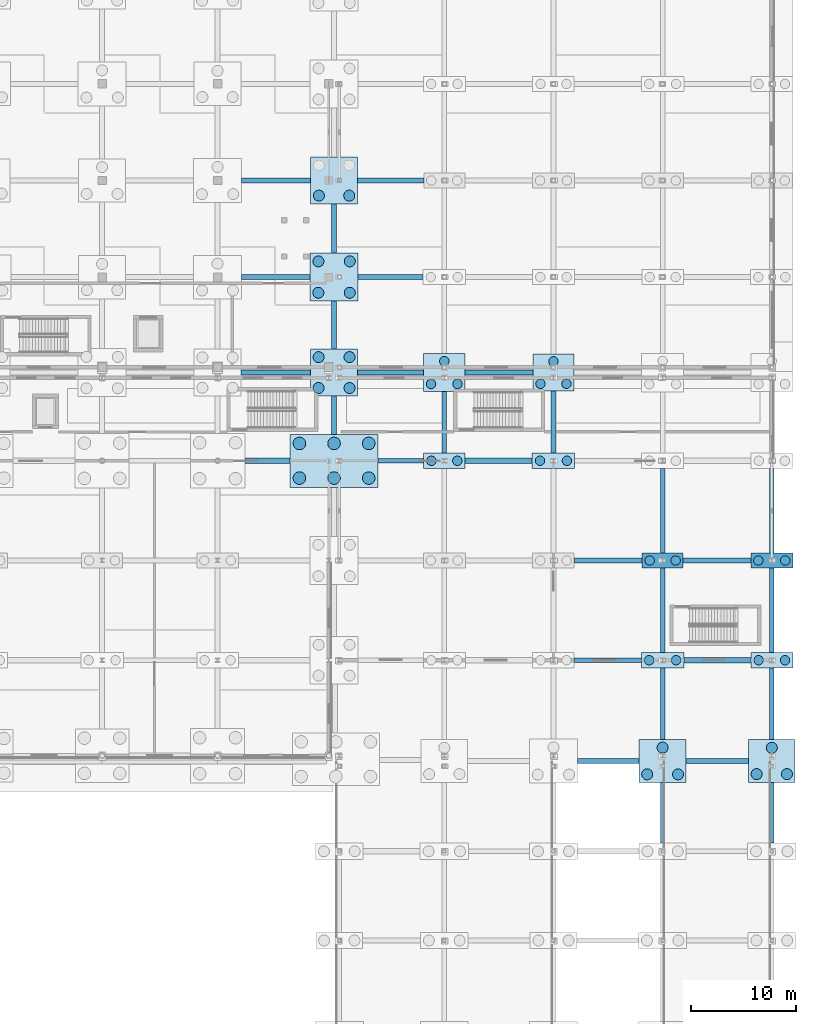
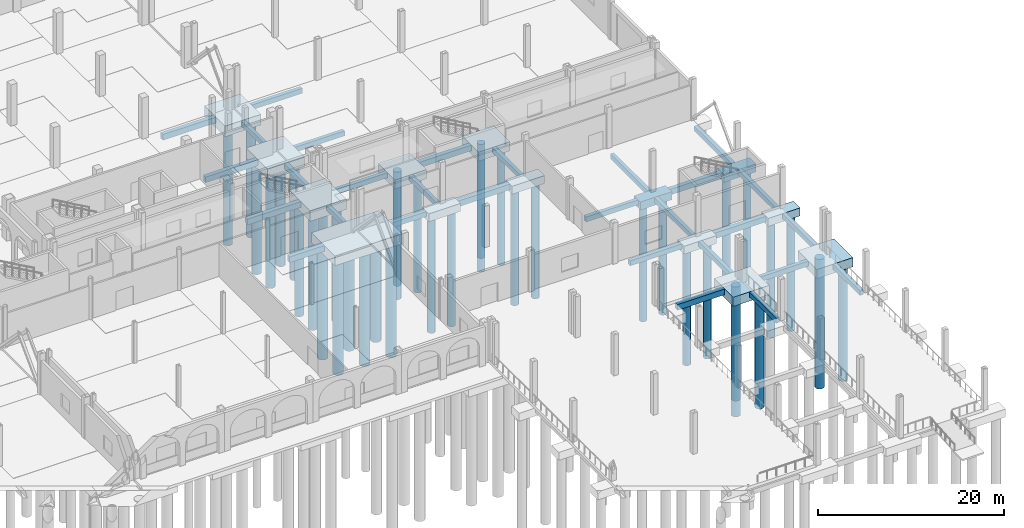
# One storey, part 12 of 83: 43 footings, 40 piles.
"""IFC4 building model written with IfcOpenShell, lengths in metres."""

from ifc_helpers import new_model, si_unit, direction, frame, origin, origin_2d, place, context, subcontext, project, spatial, polyline, circle, outline, extrude, material, material_profile, profile_set, type_object, element, save


model = new_model("IFC4")

# Units and contexts
model_context = context("Model", 3, precision=1e-05, world=origin(), true_north=direction((0.0, 1.0)))
body_context = subcontext(model_context, "Body", "Model", "MODEL_VIEW")
ifc_project = project(units=[si_unit("LENGTHUNIT", "METRE"), si_unit("AREAUNIT", "SQUARE_METRE"), si_unit("VOLUMEUNIT", "CUBIC_METRE"), si_unit("PLANEANGLEUNIT", "RADIAN"), si_unit("MASSUNIT", "GRAM", prefix="KILO")], contexts=[model_context])

# Site, building, storey
site_placement = place(None, origin())
site = spatial("IfcSite", under=ifc_project, at=site_placement, CompositionType="ELEMENT")
building_placement = place(site_placement, origin())
building = spatial("IfcBuilding", under=site, at=building_placement, Name="Caurita Quay Ferry Terminal", CompositionType="ELEMENT")
storey_placement = place(building_placement, origin())
storey = spatial("IfcBuildingStorey", under=building, at=storey_placement, Name="L00", CompositionType="ELEMENT", Elevation=0.0)

# Footings
ifc_material = material(Name="Marine reinforced concrete C40/50", Category="concrete")
footing_type_1 = type_object("IfcFootingType", Name="FTG-BM-01", PredefinedType="FOOTING_BEAM", material=ifc_material)
footing_1_placement = place(storey_placement, frame((0.0, 0.0, -1.14990234375)))
element("IfcFooting", 1, at=footing_1_placement, inside=storey, type_object=footing_type_1, Name="Seismic Tie Footing Beam FB-X-029", PredefinedType="FOOTING_BEAM", context=body_context, shape_type="SweptSolid", body=[
    extrude(outline(polyline([(155.47509765625, 33.85009765625), (161.35009765625, 33.85009765625), (161.35009765625, 34.35009765625), (155.47509765625, 34.35009765625), (155.47509765625, 33.85009765625)])), origin(), (0.0, 0.0, 1.0), 0.75),
])
footing_2_placement = place(storey_placement, frame((0.0, 0.0, -1.14990234375)))
element("IfcFooting", 2, at=footing_2_placement, inside=storey, type_object=footing_type_1, Name="Seismic Tie Footing Beam FB-X-057", PredefinedType="FOOTING_BEAM", context=body_context, shape_type="SweptSolid", body=[
    extrude(outline(polyline([(165.625, 43.449951171875), (172.0, 43.449951171875), (172.0, 43.949951171875), (165.625, 43.949951171875), (165.625, 43.449951171875)])), origin(), (0.0, 0.0, 1.0), 0.75),
])
footing_3_placement = place(storey_placement, frame((0.0, 0.0, -1.14990234375)))
element("IfcFooting", 3, at=footing_3_placement, inside=storey, type_object=footing_type_1, Name="Seismic Tie Footing Beam FB-X-073", PredefinedType="FOOTING_BEAM", context=body_context, shape_type="SweptSolid", body=[
    extrude(outline(polyline([(165.550048828125, 52.949951171875), (172.0, 52.949951171875), (172.0, 53.449951171875), (165.550048828125, 53.449951171875), (165.550048828125, 52.949951171875)])), origin(), (0.0, 0.0, 1.0), 0.75),
])
footing_4_placement = place(storey_placement, frame((0.0, 0.0, -1.14990234375)))
element("IfcFooting", 4, at=footing_4_placement, inside=storey, type_object=footing_type_1, Name="Seismic Tie Footing Beam FB-X-085", PredefinedType="FOOTING_BEAM", context=body_context, shape_type="SweptSolid", body=[
    extrude(outline(polyline([(123.800048828125, 62.449951171875), (128.125, 62.449951171875), (128.125, 62.949951171875), (123.800048828125, 62.949951171875), (123.800048828125, 62.449951171875)])), origin(), (0.0, 0.0, 1.0), 0.75),
])
footing_5_placement = place(storey_placement, frame((0.0, 0.0, -1.14990234375)))
element("IfcFooting", 5, at=footing_5_placement, inside=storey, type_object=footing_type_1, Name="Seismic Tie Footing Beam FB-X-087", PredefinedType="FOOTING_BEAM", context=body_context, shape_type="SweptSolid", body=[
    extrude(outline(polyline([(144.77490234375, 62.449951171875), (151.175048828125, 62.449951171875), (151.175048828125, 62.949951171875), (144.77490234375, 62.949951171875), (144.77490234375, 62.449951171875)])), origin(), (0.0, 0.0, 1.0), 0.75),
])
footing_6_placement = place(storey_placement, frame((0.0, 0.0, -1.14990234375)))
element("IfcFooting", 6, at=footing_6_placement, inside=storey, type_object=footing_type_1, Name="Seismic Tie Footing Beam FB-X-101", PredefinedType="FOOTING_BEAM", context=body_context, shape_type="SweptSolid", body=[
    extrude(outline(polyline([(123.425048828125, 70.85009765625), (130.050048828125, 70.85009765625), (130.050048828125, 71.35009765625), (123.425048828125, 71.35009765625), (123.425048828125, 70.85009765625)])), origin(), (0.0, 0.0, 1.0), 0.75),
])
footing_7_placement = place(storey_placement, frame((0.0, 0.0, -1.14990234375)))
element("IfcFooting", 7, at=footing_7_placement, inside=storey, type_object=footing_type_1, Name="Seismic Tie Footing Beam FB-X-103", PredefinedType="FOOTING_BEAM", context=body_context, shape_type="SweptSolid", body=[
    extrude(outline(polyline([(144.77490234375, 70.85009765625), (151.25, 70.85009765625), (151.25, 71.35009765625), (144.77490234375, 71.35009765625), (144.77490234375, 70.85009765625)])), origin(), (0.0, 0.0, 1.0), 0.75),
])
footing_8_placement = place(storey_placement, frame((0.0, 0.0, -1.14990234375)))
element("IfcFooting", 8, at=footing_8_placement, inside=storey, type_object=footing_type_1, Name="Seismic Tie Footing Beam FB-X-119", PredefinedType="FOOTING_BEAM", context=body_context, shape_type="SweptSolid", body=[
    extrude(outline(polyline([(123.47509765625, 79.949951171875), (130.0, 79.949951171875), (130.0, 80.449951171875), (123.47509765625, 80.449951171875), (123.47509765625, 79.949951171875)])), origin(), (0.0, 0.0, 1.0), 0.75),
])
footing_9_placement = place(storey_placement, frame((0.0, 0.0, -1.14990234375)))
element("IfcFooting", 9, at=footing_9_placement, inside=storey, type_object=footing_type_1, Name="Seismic Tie Footing Beam FB-X-133", PredefinedType="FOOTING_BEAM", context=body_context, shape_type="SweptSolid", body=[
    extrude(outline(polyline([(123.47509765625, 89.14990234375), (130.074951171875, 89.14990234375), (130.074951171875, 89.64990234375), (123.47509765625, 89.64990234375), (123.47509765625, 89.14990234375)])), origin(), (0.0, 0.0, 1.0), 0.75),
])
footing_type_2 = type_object("IfcFootingType", Name="FTG-BM-02", PredefinedType="FOOTING_BEAM", material=ifc_material)
footing_10_placement = place(storey_placement, frame((0.0, 0.0, -1.050048828125)))
element("IfcFooting", 10, at=footing_10_placement, inside=storey, type_object=footing_type_2, Name="Seismic Tie Footing Beam FB-X-030", PredefinedType="FOOTING_BEAM", context=body_context, shape_type="SweptSolid", body=[
    extrude(outline(polyline([(165.85009765625, 33.875), (171.77490234375, 33.875), (171.77490234375, 34.324951171875), (165.85009765625, 34.324951171875), (165.85009765625, 33.875)])), origin(), (0.0, 0.0, 1.0), 0.650146484375),
])
footing_11_placement = place(storey_placement, frame((0.0, 0.0, -1.050048828125)))
element("IfcFooting", 11, at=footing_11_placement, inside=storey, type_object=footing_type_2, Name="Seismic Tie Footing Beam FB-X-056", PredefinedType="FOOTING_BEAM", context=body_context, shape_type="SweptSolid", body=[
    extrude(outline(polyline([(155.175048828125, 43.47509765625), (161.574951171875, 43.47509765625), (161.574951171875, 43.925048828125), (155.175048828125, 43.925048828125), (155.175048828125, 43.47509765625)])), origin(), (0.0, 0.0, 1.0), 0.650146484375),
])
footing_12_placement = place(storey_placement, frame((0.0, 0.0, -1.050048828125)))
element("IfcFooting", 12, at=footing_12_placement, inside=storey, type_object=footing_type_2, Name="Seismic Tie Footing Beam FB-X-072", PredefinedType="FOOTING_BEAM", context=body_context, shape_type="SweptSolid", body=[
    extrude(outline(polyline([(155.175048828125, 52.97509765625), (161.64990234375, 52.97509765625), (161.64990234375, 53.425048828125), (155.175048828125, 53.425048828125), (155.175048828125, 52.97509765625)])), origin(), (0.0, 0.0, 1.0), 0.650146484375),
])
footing_13_placement = place(storey_placement, frame((0.0, 0.0, -1.050048828125)))
element("IfcFooting", 13, at=footing_13_placement, inside=storey, type_object=footing_type_2, Name="Seismic Tie Footing Beam FB-X-086", PredefinedType="FOOTING_BEAM", context=body_context, shape_type="SweptSolid", body=[
    extrude(outline(polyline([(136.47509765625, 62.47509765625), (140.824951171875, 62.47509765625), (140.824951171875, 62.925048828125), (136.47509765625, 62.925048828125), (136.47509765625, 62.47509765625)])), origin(), (0.0, 0.0, 1.0), 0.650146484375),
])
footing_14_placement = place(storey_placement, frame((0.0, 0.0, -1.050048828125)))
element("IfcFooting", 14, at=footing_14_placement, inside=storey, type_object=footing_type_2, Name="Seismic Tie Footing Beam FB-X-102", PredefinedType="FOOTING_BEAM", context=body_context, shape_type="SweptSolid", body=[
    extrude(outline(polyline([(134.550048828125, 70.875), (140.824951171875, 70.875), (140.824951171875, 71.324951171875), (134.550048828125, 71.324951171875), (134.550048828125, 70.875)])), origin(), (0.0, 0.0, 1.0), 0.650146484375),
])
footing_15_placement = place(storey_placement, frame((0.0, 0.0, -1.050048828125)))
element("IfcFooting", 15, at=footing_15_placement, inside=storey, type_object=footing_type_2, Name="Seismic Tie Footing Beam FB-X-120", PredefinedType="FOOTING_BEAM", context=body_context, shape_type="SweptSolid", body=[
    extrude(outline(polyline([(134.60009765625, 79.97509765625), (140.77490234375, 79.97509765625), (140.77490234375, 80.425048828125), (134.60009765625, 80.425048828125), (134.60009765625, 79.97509765625)])), origin(), (0.0, 0.0, 1.0), 0.650146484375),
])
footing_16_placement = place(storey_placement, frame((0.0, 0.0, -1.050048828125)))
element("IfcFooting", 16, at=footing_16_placement, inside=storey, type_object=footing_type_2, Name="Seismic Tie Footing Beam FB-X-134", PredefinedType="FOOTING_BEAM", context=body_context, shape_type="SweptSolid", body=[
    extrude(outline(polyline([(134.52490234375, 89.175048828125), (140.85009765625, 89.175048828125), (140.85009765625, 89.625), (134.52490234375, 89.625), (134.52490234375, 89.175048828125)])), origin(), (0.0, 0.0, 1.0), 0.650146484375),
])
footing_17_placement = place(storey_placement, frame((0.0, 0.0, -1.050048828125)))
element("IfcFooting", 17, at=footing_17_placement, inside=storey, type_object=footing_type_2, Name="Seismic Tie Footing Beam FB-Y-308", PredefinedType="FOOTING_BEAM", context=body_context, shape_type="SweptSolid", body=[
    extrude(outline(polyline([(132.074951171875, 65.22509765625), (132.52490234375, 65.22509765625), (132.52490234375, 68.85009765625), (132.074951171875, 68.85009765625), (132.074951171875, 65.22509765625)])), origin(), (0.0, 0.0, 1.0), 0.650146484375),
])
footing_18_placement = place(storey_placement, frame((0.0, 0.0, -1.050048828125)))
element("IfcFooting", 18, at=footing_18_placement, inside=storey, type_object=footing_type_2, Name="Seismic Tie Footing Beam FB-Y-309", PredefinedType="FOOTING_BEAM", context=body_context, shape_type="SweptSolid", body=[
    extrude(outline(polyline([(132.074951171875, 73.35009765625), (132.52490234375, 73.35009765625), (132.52490234375, 77.89990234375), (132.074951171875, 77.89990234375), (132.074951171875, 73.35009765625)])), origin(), (0.0, 0.0, 1.0), 0.650146484375),
])
footing_19_placement = place(storey_placement, frame((0.0, 0.0, -1.050048828125)))
element("IfcFooting", 19, at=footing_19_placement, inside=storey, type_object=footing_type_2, Name="Seismic Tie Footing Beam FB-Y-310", PredefinedType="FOOTING_BEAM", context=body_context, shape_type="SweptSolid", body=[
    extrude(outline(polyline([(132.074951171875, 82.5), (132.52490234375, 82.5), (132.52490234375, 87.175048828125), (132.074951171875, 87.175048828125), (132.074951171875, 82.5)])), origin(), (0.0, 0.0, 1.0), 0.650146484375),
])
footing_20_placement = place(storey_placement, frame((0.0, 0.0, -1.050048828125)))
element("IfcFooting", 20, at=footing_20_placement, inside=storey, type_object=footing_type_2, Name="Seismic Tie Footing Beam FB-Y-324", PredefinedType="FOOTING_BEAM", context=body_context, shape_type="SweptSolid", body=[
    extrude(outline(polyline([(142.574951171875, 63.425048828125), (143.02490234375, 63.425048828125), (143.02490234375, 69.300048828125), (142.574951171875, 69.300048828125), (142.574951171875, 63.425048828125)])), origin(), (0.0, 0.0, 1.0), 0.650146484375),
])
footing_21_placement = place(storey_placement, frame((0.0, 0.0, -1.050048828125)))
element("IfcFooting", 21, at=footing_21_placement, inside=storey, type_object=footing_type_2, Name="Seismic Tie Footing Beam FB-Y-337", PredefinedType="FOOTING_BEAM", context=body_context, shape_type="SweptSolid", body=[
    extrude(outline(polyline([(152.97509765625, 63.425048828125), (153.425048828125, 63.425048828125), (153.425048828125, 69.324951171875), (152.97509765625, 69.324951171875), (152.97509765625, 63.425048828125)])), origin(), (0.0, 0.0, 1.0), 0.650146484375),
])
footing_22_placement = place(storey_placement, frame((0.0, 0.0, -1.050048828125)))
element("IfcFooting", 22, at=footing_22_placement, inside=storey, type_object=footing_type_2, Name="Seismic Tie Footing Beam FB-Y-346", PredefinedType="FOOTING_BEAM", context=body_context, shape_type="SweptSolid", body=[
    extrude(outline(polyline([(163.375, 26.300048828125), (163.824951171875, 26.300048828125), (163.824951171875, 32.050048828125), (163.375, 32.050048828125), (163.375, 26.300048828125)])), origin(), (0.0, 0.0, 1.0), 0.650146484375),
])
footing_23_placement = place(storey_placement, frame((0.0, 0.0, -1.050048828125)))
element("IfcFooting", 23, at=footing_23_placement, inside=storey, type_object=footing_type_2, Name="Seismic Tie Footing Beam FB-Y-347", PredefinedType="FOOTING_BEAM", context=body_context, shape_type="SweptSolid", body=[
    extrude(outline(polyline([(163.375, 36.14990234375), (163.824951171875, 36.14990234375), (163.824951171875, 42.97509765625), (163.375, 42.97509765625), (163.375, 36.14990234375)])), origin(), (0.0, 0.0, 1.0), 0.650146484375),
])
footing_24_placement = place(storey_placement, frame((0.0, 0.0, -1.050048828125)))
element("IfcFooting", 24, at=footing_24_placement, inside=storey, type_object=footing_type_2, Name="Seismic Tie Footing Beam FB-Y-348", PredefinedType="FOOTING_BEAM", context=body_context, shape_type="SweptSolid", body=[
    extrude(outline(polyline([(163.375, 44.425048828125), (163.824951171875, 44.425048828125), (163.824951171875, 52.5), (163.375, 52.5), (163.375, 44.425048828125)])), origin(), (0.0, 0.0, 1.0), 0.650146484375),
])
footing_25_placement = place(storey_placement, frame((0.0, 0.0, -1.050048828125)))
element("IfcFooting", 25, at=footing_25_placement, inside=storey, type_object=footing_type_2, Name="Seismic Tie Footing Beam FB-Y-349", PredefinedType="FOOTING_BEAM", context=body_context, shape_type="SweptSolid", body=[
    extrude(outline(polyline([(163.375, 53.89990234375), (163.824951171875, 53.89990234375), (163.824951171875, 61.97509765625), (163.375, 61.97509765625), (163.375, 53.89990234375)])), origin(), (0.0, 0.0, 1.0), 0.650146484375),
])
footing_26_placement = place(storey_placement, frame((0.0, 0.0, -1.050048828125)))
element("IfcFooting", 26, at=footing_26_placement, inside=storey, type_object=footing_type_2, Name="Seismic Tie Footing Beam FB-Y-359", PredefinedType="FOOTING_BEAM", context=body_context, shape_type="SweptSolid", body=[
    extrude(outline(polyline([(173.77490234375, 26.300048828125), (174.22509765625, 26.300048828125), (174.22509765625, 32.050048828125), (173.77490234375, 32.050048828125), (173.77490234375, 26.300048828125)])), origin(), (0.0, 0.0, 1.0), 0.650146484375),
])
footing_27_placement = place(storey_placement, frame((0.0, 0.0, -1.050048828125)))
element("IfcFooting", 27, at=footing_27_placement, inside=storey, type_object=footing_type_2, Name="Seismic Tie Footing Beam FB-Y-360", PredefinedType="FOOTING_BEAM", context=body_context, shape_type="SweptSolid", body=[
    extrude(outline(polyline([(173.77490234375, 36.14990234375), (174.22509765625, 36.14990234375), (174.22509765625, 42.97509765625), (173.77490234375, 42.97509765625), (173.77490234375, 36.14990234375)])), origin(), (0.0, 0.0, 1.0), 0.650146484375),
])
footing_28_placement = place(storey_placement, frame((0.0, 0.0, -1.050048828125)))
element("IfcFooting", 28, at=footing_28_placement, inside=storey, type_object=footing_type_2, Name="Seismic Tie Footing Beam FB-Y-361", PredefinedType="FOOTING_BEAM", context=body_context, shape_type="SweptSolid", body=[
    extrude(outline(polyline([(173.77490234375, 44.425048828125), (174.22509765625, 44.425048828125), (174.22509765625, 52.5), (173.77490234375, 52.5), (173.77490234375, 44.425048828125)])), origin(), (0.0, 0.0, 1.0), 0.650146484375),
])
footing_29_placement = place(storey_placement, frame((0.0, 0.0, -1.050048828125)))
element("IfcFooting", 29, at=footing_29_placement, inside=storey, type_object=footing_type_2, Name="Seismic Tie Footing Beam FB-Y-362", PredefinedType="FOOTING_BEAM", context=body_context, shape_type="SweptSolid", body=[
    extrude(outline(polyline([(173.77490234375, 53.89990234375), (174.22509765625, 53.89990234375), (174.22509765625, 61.97509765625), (173.77490234375, 61.97509765625), (173.77490234375, 53.89990234375)])), origin(), (0.0, 0.0, 1.0), 0.650146484375),
])
footing_type_3 = type_object("IfcFootingType", Name="FTG-PC-06", PredefinedType="PILE_CAP", material=ifc_material)
footing_30_placement = place(storey_placement, frame((0.0, 0.0, -1.699951171875)))
element("IfcFooting", 30, at=footing_30_placement, inside=storey, type_object=footing_type_3, Name="Pile Cap PC-120", PredefinedType="PILE_CAP", context=body_context, shape_type="SweptSolid", body=[
    extrude(outline(polyline([(130.0, 77.89990234375), (134.60009765625, 77.89990234375), (134.60009765625, 82.5), (130.0, 82.5), (130.0, 77.89990234375)])), origin(), (0.0, 0.0, 1.0), 1.300048828125),
])
footing_type_4 = type_object("IfcFootingType", Name="FTG-PC-07", PredefinedType="PILE_CAP", material=ifc_material)
footing_31_placement = place(storey_placement, frame((0.0, 0.0, -1.800048828125)))
element("IfcFooting", 31, at=footing_31_placement, inside=storey, type_object=footing_type_4, Name="Pile Cap PC-121", PredefinedType="PILE_CAP", context=body_context, shape_type="SweptSolid", body=[
    extrude(outline(polyline([(130.074951171875, 87.175048828125), (134.52490234375, 87.175048828125), (134.52490234375, 91.625), (130.074951171875, 91.625), (130.074951171875, 87.175048828125)])), origin(), (0.0, 0.0, 1.0), 1.400146484375),
])
footing_type_5 = type_object("IfcFootingType", Name="FTG-PC-12", PredefinedType="PILE_CAP", material=ifc_material)
footing_32_placement = place(storey_placement, frame((0.0, 0.0, -1.449951171875)))
element("IfcFooting", 32, at=footing_32_placement, inside=storey, type_object=footing_type_5, Name="Pile Cap PC-150", PredefinedType="PILE_CAP", context=body_context, shape_type="SweptSolid", body=[
    extrude(outline(polyline([(151.175048828125, 61.97509765625), (155.22509765625, 61.97509765625), (155.22509765625, 63.425048828125), (151.175048828125, 63.425048828125), (151.175048828125, 61.97509765625)])), origin(), (0.0, 0.0, 1.0), 1.050048828125),
])
footing_33_placement = place(storey_placement, frame((0.0, 0.0, -1.449951171875)))
element("IfcFooting", 33, at=footing_33_placement, inside=storey, type_object=footing_type_5, Name="Pile Cap PC-162", PredefinedType="PILE_CAP", context=body_context, shape_type="SweptSolid", body=[
    extrude(outline(polyline([(161.574951171875, 42.97509765625), (165.625, 42.97509765625), (165.625, 44.425048828125), (161.574951171875, 44.425048828125), (161.574951171875, 42.97509765625)])), origin(), (0.0, 0.0, 1.0), 1.050048828125),
])
footing_type_6 = type_object("IfcFootingType", Name="FTG-PC-13", PredefinedType="PILE_CAP", material=ifc_material)
footing_34_placement = place(storey_placement, frame((0.0, 0.0, -1.449951171875)))
element("IfcFooting", 34, at=footing_34_placement, inside=storey, type_object=footing_type_6, Name="Pile Cap PC-163", PredefinedType="PILE_CAP", context=body_context, shape_type="SweptSolid", body=[
    extrude(outline(polyline([(161.64990234375, 52.5), (165.550048828125, 52.5), (165.550048828125, 53.89990234375), (161.64990234375, 53.89990234375), (161.64990234375, 52.5)])), origin(), (0.0, 0.0, 1.0), 1.050048828125),
])
footing_type_7 = type_object("IfcFootingType", Name="FTG-PC-16", PredefinedType="PILE_CAP", material=ifc_material)
footing_35_placement = place(storey_placement, frame((0.0, 0.0, -1.800048828125)))
element("IfcFooting", 35, at=footing_35_placement, inside=storey, type_object=footing_type_7, Name="Pile Cap PC-119", PredefinedType="PILE_CAP", context=body_context, shape_type="SweptSolid", body=[
    extrude(outline(polyline([(130.050048828125, 68.85009765625), (134.550048828125, 68.85009765625), (134.550048828125, 73.35009765625), (130.050048828125, 73.35009765625), (130.050048828125, 68.85009765625)])), origin(), (0.0, 0.0, 1.0), 1.400146484375),
])
footing_type_8 = type_object("IfcFootingType", Name="FTG-PC-18", PredefinedType="PILE_CAP", material=ifc_material)
footing_36_placement = place(storey_placement, frame((0.0, 0.0, -1.449951171875)))
element("IfcFooting", 36, at=footing_36_placement, inside=storey, type_object=footing_type_8, Name="Pile Cap PC-136", PredefinedType="PILE_CAP", context=body_context, shape_type="SweptSolid", body=[
    extrude(outline(polyline([(140.824951171875, 61.97509765625), (144.77490234375, 61.97509765625), (144.77490234375, 63.425048828125), (140.824951171875, 63.425048828125), (140.824951171875, 61.97509765625)])), origin(), (0.0, 0.0, 1.0), 1.050048828125),
])
footing_type_9 = type_object("IfcFootingType", Name="FTG-PC-22", PredefinedType="PILE_CAP", material=ifc_material)
footing_37_placement = place(storey_placement, frame((0.0, 0.0, -1.449951171875)))
element("IfcFooting", 37, at=footing_37_placement, inside=storey, type_object=footing_type_9, Name="Pile Cap PC-176", PredefinedType="PILE_CAP", context=body_context, shape_type="SweptSolid", body=[
    extrude(outline(polyline([(172.0, 42.97509765625), (176.0, 42.97509765625), (176.0, 44.425048828125), (172.0, 44.425048828125), (172.0, 42.97509765625)])), origin(), (0.0, 0.0, 1.0), 1.050048828125),
])
footing_type_10 = type_object("IfcFootingType", Name="FTG-PC-23", PredefinedType="PILE_CAP", material=ifc_material)
footing_38_placement = place(storey_placement, frame((0.0, 0.0, -1.449951171875)))
element("IfcFooting", 38, at=footing_38_placement, inside=storey, type_object=footing_type_10, Name="Pile Cap PC-177", PredefinedType="PILE_CAP", context=body_context, shape_type="SweptSolid", body=[
    extrude(outline(polyline([(172.0, 52.5), (176.0, 52.5), (176.0, 53.89990234375), (172.0, 53.89990234375), (172.0, 52.5)])), origin(), (0.0, 0.0, 1.0), 1.050048828125),
])
footing_type_11 = type_object("IfcFootingType", Name="FTG-PC-24", PredefinedType="PILE_CAP", material=ifc_material)
footing_39_placement = place(storey_placement, frame((0.0, 0.0, -1.60009765625)))
element("IfcFooting", 39, at=footing_39_placement, inside=storey, type_object=footing_type_11, Name="Pile Cap PC-175", PredefinedType="PILE_CAP", context=body_context, shape_type="SweptSolid", body=[
    extrude(outline(polyline([(171.77490234375, 32.050048828125), (176.22509765625, 32.050048828125), (176.22509765625, 36.14990234375), (171.77490234375, 36.14990234375), (171.77490234375, 32.050048828125)])), origin(), (0.0, 0.0, 1.0), 1.2001953125),
])
footing_type_12 = type_object("IfcFootingType", Name="FTG-PC-26", PredefinedType="PILE_CAP", material=ifc_material)
footing_40_placement = place(storey_placement, frame((0.0, 0.0, -1.60009765625)))
element("IfcFooting", 40, at=footing_40_placement, inside=storey, type_object=footing_type_12, Name="Pile Cap PC-161", PredefinedType="PILE_CAP", context=body_context, shape_type="SweptSolid", body=[
    extrude(outline(polyline([(161.35009765625, 32.050048828125), (165.85009765625, 32.050048828125), (165.85009765625, 36.14990234375), (161.35009765625, 36.14990234375), (161.35009765625, 32.050048828125)])), origin(), (0.0, 0.0, 1.0), 1.2001953125),
])
footing_type_13 = type_object("IfcFootingType", Name="FTG-PC-31", PredefinedType="PILE_CAP", material=ifc_material)
footing_41_placement = place(storey_placement, frame((0.0, 0.0, -1.699951171875)))
element("IfcFooting", 41, at=footing_41_placement, inside=storey, type_object=footing_type_13, Name="Pile Cap PC-118", PredefinedType="PILE_CAP", context=body_context, shape_type="SweptSolid", body=[
    extrude(outline(polyline([(128.125, 60.175048828125), (136.47509765625, 60.175048828125), (136.47509765625, 65.22509765625), (128.125, 65.22509765625), (128.125, 60.175048828125)])), origin(), (0.0, 0.0, 1.0), 1.300048828125),
])
footing_type_14 = type_object("IfcFootingType", Name="FTG-PC-38", PredefinedType="PILE_CAP", material=ifc_material)
footing_42_placement = place(storey_placement, frame((0.0, 0.0, -1.60009765625)))
element("IfcFooting", 42, at=footing_42_placement, inside=storey, type_object=footing_type_14, Name="Pile Cap PC-137", PredefinedType="PILE_CAP", context=body_context, shape_type="SweptSolid", body=[
    extrude(outline(polyline([(140.824951171875, 69.300048828125), (144.77490234375, 69.300048828125), (144.77490234375, 72.89990234375), (140.824951171875, 72.89990234375), (140.824951171875, 69.300048828125)])), origin(), (0.0, 0.0, 1.0), 1.2001953125),
])
footing_type_15 = type_object("IfcFootingType", Name="FTG-PC-39", PredefinedType="PILE_CAP", material=ifc_material)
footing_43_placement = place(storey_placement, frame((0.0, 0.0, -1.60009765625)))
element("IfcFooting", 43, at=footing_43_placement, inside=storey, type_object=footing_type_15, Name="Pile Cap PC-151", PredefinedType="PILE_CAP", context=body_context, shape_type="SweptSolid", body=[
    extrude(outline(polyline([(151.25, 69.324951171875), (155.14990234375, 69.324951171875), (155.14990234375, 72.875), (151.25, 72.875), (151.25, 69.324951171875)])), origin(), (0.0, 0.0, 1.0), 1.2001953125),
])

# Piles
ifc_material_profile_1 = material_profile(ifc_material, circle(Radius=0.52490234375, at=origin_2d()), Name="PILE-D1050")
ifc_profile_set_1 = profile_set([ifc_material_profile_1], Name="Marine reinforced concrete C40/50")
pile_type_1 = type_object("IfcPileType", Name="TYPE-PL-1050", PredefinedType="BORED", material=ifc_profile_set_1)
for number, where, z_axis, x_axis, name in (
    (44, (130.830078125, 69.6298828125, -1.699951171875), (0.0, 0.0, -1.0), (1.0, 0.0, 0.0), "Bored Marine Pile PC-119-P1"),
    (45, (133.77001953125, 69.6298828125, -1.699951171875), (0.0, 0.0, -1.0), (1.0, 0.0, 0.0), "Bored Marine Pile PC-119-P2"),
    (46, (130.830078125, 72.570068359375, -1.699951171875), (0.0, 0.0, -1.0), (1.0, 0.0, 0.0), "Bored Marine Pile PC-119-P3"),
    (47, (133.77001953125, 72.570068359375, -1.699951171875), (0.0, 0.0, -1.0), (1.0, 0.0, 0.0), "Bored Marine Pile PC-119-P4"),
):
    element("IfcPile", number, at=place(storey_placement, frame(where, z_axis=z_axis, x_axis=x_axis)), inside=storey, type_object=pile_type_1, Name=name, PredefinedType="BORED", context=body_context, shape_type="SweptSolid", body=[
        extrude(circle(Radius=0.52490234375, at=origin_2d()), origin(), (0.0, 0.0, 1.0), 14.800048828125),
    ])
for number, where, z_axis, x_axis, name in (
    (48, (130.803955078125, 78.7041015625, -1.60009765625), (0.0, 0.0, -1.0), (1.0, 0.0, 0.0), "Bored Marine Pile PC-120-P1"),
    (49, (133.797119140625, 78.7041015625, -1.60009765625), (0.0, 0.0, -1.0), (1.0, 0.0, 0.0), "Bored Marine Pile PC-120-P2"),
    (50, (130.803955078125, 81.697021484375, -1.60009765625), (0.0, 0.0, -1.0), (1.0, 0.0, 0.0), "Bored Marine Pile PC-120-P3"),
    (51, (133.797119140625, 81.697021484375, -1.60009765625), (0.0, 0.0, -1.0), (1.0, 0.0, 0.0), "Bored Marine Pile PC-120-P4"),
):
    element("IfcPile", number, at=place(storey_placement, frame(where, z_axis=z_axis, x_axis=x_axis)), inside=storey, type_object=pile_type_1, Name=name, PredefinedType="BORED", context=body_context, shape_type="SweptSolid", body=[
        extrude(circle(Radius=0.52490234375, at=origin_2d()), origin(), (0.0, 0.0, 1.0), 14.89990234375),
    ])
for number, where, z_axis, x_axis, name in (
    (52, (130.85595703125, 87.9560546875, -1.699951171875), (0.0, 0.0, -1.0), (1.0, 0.0, 0.0), "Bored Marine Pile PC-121-P1"),
    (53, (133.743896484375, 87.9560546875, -1.699951171875), (0.0, 0.0, -1.0), (1.0, 0.0, 0.0), "Bored Marine Pile PC-121-P2"),
):
    element("IfcPile", number, at=place(storey_placement, frame(where, z_axis=z_axis, x_axis=x_axis)), inside=storey, type_object=pile_type_1, Name=name, PredefinedType="BORED", context=body_context, shape_type="SweptSolid", body=[
        extrude(circle(Radius=0.52490234375, at=origin_2d()), origin(), (0.0, 0.0, 1.0), 14.800048828125),
    ])
for number, where, z_axis, x_axis, name in (
    (54, (162.1298828125, 32.826904296875, -1.5), (0.0, 0.0, -1.0), (1.0, 0.0, 0.0), "Bored Marine Pile PC-161-P1"),
    (55, (165.070068359375, 32.826904296875, -1.5), (0.0, 0.0, -1.0), (1.0, 0.0, 0.0), "Bored Marine Pile PC-161-P2"),
    (56, (163.60009765625, 35.373046875, -1.5), (0.0, 0.0, -1.0), (1.0, 0.0, 0.0), "Bored Marine Pile PC-161-P3"),
    (57, (172.555908203125, 32.84912109375, -1.5), (0.0, 0.0, -1.0), (1.0, 0.0, 0.0), "Bored Marine Pile PC-175-P1"),
    (58, (175.444091796875, 32.84912109375, -1.5), (0.0, 0.0, -1.0), (1.0, 0.0, 0.0), "Bored Marine Pile PC-175-P2"),
    (59, (174.0, 35.35107421875, -1.5), (0.0, 0.0, -1.0), (1.0, 0.0, 0.0), "Bored Marine Pile PC-175-P3"),
):
    element("IfcPile", number, at=place(storey_placement, frame(where, z_axis=z_axis, x_axis=x_axis)), inside=storey, type_object=pile_type_1, Name=name, PredefinedType="BORED", context=body_context, shape_type="SweptSolid", body=[
        extrude(circle(Radius=0.52490234375, at=origin_2d()), origin(), (0.0, 0.0, 1.0), 15.0),
    ])
ifc_material_profile_2 = material_profile(ifc_material, circle(Radius=0.60009765625, at=origin_2d()), Name="PILE-D1200")
ifc_profile_set_2 = profile_set([ifc_material_profile_2], Name="Marine reinforced concrete C40/50")
pile_type_2 = type_object("IfcPileType", Name="TYPE-PL-1200", PredefinedType="BORED", material=ifc_profile_set_2)
for number, where, z_axis, x_axis, name in (
    (60, (129.0, 61.050048828125, -1.60009765625), (0.0, 0.0, -1.0), (1.0, 0.0, 0.0), "Bored Marine Pile PC-118-P1"),
    (61, (132.300048828125, 61.050048828125, -1.60009765625), (0.0, 0.0, -1.0), (1.0, 0.0, 0.0), "Bored Marine Pile PC-118-P2"),
    (62, (135.60009765625, 61.050048828125, -1.60009765625), (0.0, 0.0, -1.0), (1.0, 0.0, 0.0), "Bored Marine Pile PC-118-P3"),
    (63, (129.0, 64.35009765625, -1.60009765625), (0.0, 0.0, -1.0), (1.0, 0.0, 0.0), "Bored Marine Pile PC-118-P4"),
    (64, (132.300048828125, 64.35009765625, -1.60009765625), (0.0, 0.0, -1.0), (1.0, 0.0, 0.0), "Bored Marine Pile PC-118-P5"),
    (65, (135.60009765625, 64.35009765625, -1.60009765625), (0.0, 0.0, -1.0), (1.0, 0.0, 0.0), "Bored Marine Pile PC-118-P6"),
):
    element("IfcPile", number, at=place(storey_placement, frame(where, z_axis=z_axis, x_axis=x_axis)), inside=storey, type_object=pile_type_2, Name=name, PredefinedType="BORED", context=body_context, shape_type="SweptSolid", body=[
        extrude(circle(Radius=0.60009765625, at=origin_2d()), origin(), (0.0, 0.0, 1.0), 14.89990234375),
    ])
ifc_material_profile_3 = material_profile(ifc_material, circle(Radius=0.449951171875, at=origin_2d()), Name="PILE-D900")
ifc_profile_set_3 = profile_set([ifc_material_profile_3], Name="Marine reinforced concrete C40/50")
pile_type_3 = type_object("IfcPileType", Name="TYPE-PL-900", PredefinedType="BORED", material=ifc_profile_set_3)
for number, where, z_axis, x_axis, name in (
    (66, (141.56201171875, 62.699951171875, -1.35009765625), (0.0, 0.0, -1.0), (1.0, 0.0, 0.0), "Bored Marine Pile PC-136-P1"),
    (67, (144.0380859375, 62.699951171875, -1.35009765625), (0.0, 0.0, -1.0), (1.0, 0.0, 0.0), "Bored Marine Pile PC-136-P2"),
):
    element("IfcPile", number, at=place(storey_placement, frame(where, z_axis=z_axis, x_axis=x_axis)), inside=storey, type_object=pile_type_3, Name=name, PredefinedType="BORED", context=body_context, shape_type="SweptSolid", body=[
        extrude(circle(Radius=0.449951171875, at=origin_2d()), origin(), (0.0, 0.0, 1.0), 15.14990234375),
    ])
for number, where, z_axis, x_axis, name in (
    (68, (141.5400390625, 70.009033203125, -1.5), (0.0, 0.0, -1.0), (1.0, 0.0, 0.0), "Bored Marine Pile PC-137-P1"),
    (69, (144.06005859375, 70.009033203125, -1.5), (0.0, 0.0, -1.0), (1.0, 0.0, 0.0), "Bored Marine Pile PC-137-P2"),
    (70, (142.800048828125, 72.19091796875, -1.5), (0.0, 0.0, -1.0), (1.0, 0.0, 0.0), "Bored Marine Pile PC-137-P3"),
):
    element("IfcPile", number, at=place(storey_placement, frame(where, z_axis=z_axis, x_axis=x_axis)), inside=storey, type_object=pile_type_3, Name=name, PredefinedType="BORED", context=body_context, shape_type="SweptSolid", body=[
        extrude(circle(Radius=0.449951171875, at=origin_2d()), origin(), (0.0, 0.0, 1.0), 15.0),
    ])
for number, where, z_axis, x_axis, name in (
    (71, (151.9169921875, 62.699951171875, -1.35009765625), (0.0, 0.0, -1.0), (1.0, 0.0, 0.0), "Bored Marine Pile PC-150-P1"),
    (72, (154.48193359375, 62.699951171875, -1.35009765625), (0.0, 0.0, -1.0), (1.0, 0.0, 0.0), "Bored Marine Pile PC-150-P2"),
):
    element("IfcPile", number, at=place(storey_placement, frame(where, z_axis=z_axis, x_axis=x_axis)), inside=storey, type_object=pile_type_3, Name=name, PredefinedType="BORED", context=body_context, shape_type="SweptSolid", body=[
        extrude(circle(Radius=0.449951171875, at=origin_2d()), origin(), (0.0, 0.0, 1.0), 15.14990234375),
    ])
for number, where, z_axis, x_axis, name in (
    (73, (151.9619140625, 70.028076171875, -1.5), (0.0, 0.0, -1.0), (1.0, 0.0, 0.0), "Bored Marine Pile PC-151-P1"),
    (74, (154.43798828125, 70.028076171875, -1.5), (0.0, 0.0, -1.0), (1.0, 0.0, 0.0), "Bored Marine Pile PC-151-P2"),
    (75, (153.199951171875, 72.172119140625, -1.5), (0.0, 0.0, -1.0), (1.0, 0.0, 0.0), "Bored Marine Pile PC-151-P3"),
):
    element("IfcPile", number, at=place(storey_placement, frame(where, z_axis=z_axis, x_axis=x_axis)), inside=storey, type_object=pile_type_3, Name=name, PredefinedType="BORED", context=body_context, shape_type="SweptSolid", body=[
        extrude(circle(Radius=0.449951171875, at=origin_2d()), origin(), (0.0, 0.0, 1.0), 15.0),
    ])
for number, where, z_axis, x_axis, name in (
    (76, (162.31689453125, 43.699951171875, -1.35009765625), (0.0, 0.0, -1.0), (1.0, 0.0, 0.0), "Bored Marine Pile PC-162-P1"),
    (77, (164.882080078125, 43.699951171875, -1.35009765625), (0.0, 0.0, -1.0), (1.0, 0.0, 0.0), "Bored Marine Pile PC-162-P2"),
    (78, (162.362060546875, 53.199951171875, -1.35009765625), (0.0, 0.0, -1.0), (1.0, 0.0, 0.0), "Bored Marine Pile PC-163-P1"),
    (79, (164.837890625, 53.199951171875, -1.35009765625), (0.0, 0.0, -1.0), (1.0, 0.0, 0.0), "Bored Marine Pile PC-163-P2"),
    (80, (172.739990234375, 43.699951171875, -1.35009765625), (0.0, 0.0, -1.0), (1.0, 0.0, 0.0), "Bored Marine Pile PC-176-P1"),
    (81, (175.260009765625, 43.699951171875, -1.35009765625), (0.0, 0.0, -1.0), (1.0, 0.0, 0.0), "Bored Marine Pile PC-176-P2"),
    (82, (172.718017578125, 53.199951171875, -1.35009765625), (0.0, 0.0, -1.0), (1.0, 0.0, 0.0), "Bored Marine Pile PC-177-P1"),
    (83, (175.281982421875, 53.199951171875, -1.35009765625), (0.0, 0.0, -1.0), (1.0, 0.0, 0.0), "Bored Marine Pile PC-177-P2"),
):
    element("IfcPile", number, at=place(storey_placement, frame(where, z_axis=z_axis, x_axis=x_axis)), inside=storey, type_object=pile_type_3, Name=name, PredefinedType="BORED", context=body_context, shape_type="SweptSolid", body=[
        extrude(circle(Radius=0.449951171875, at=origin_2d()), origin(), (0.0, 0.0, 1.0), 15.14990234375),
    ])

save(model, "model.ifc")
